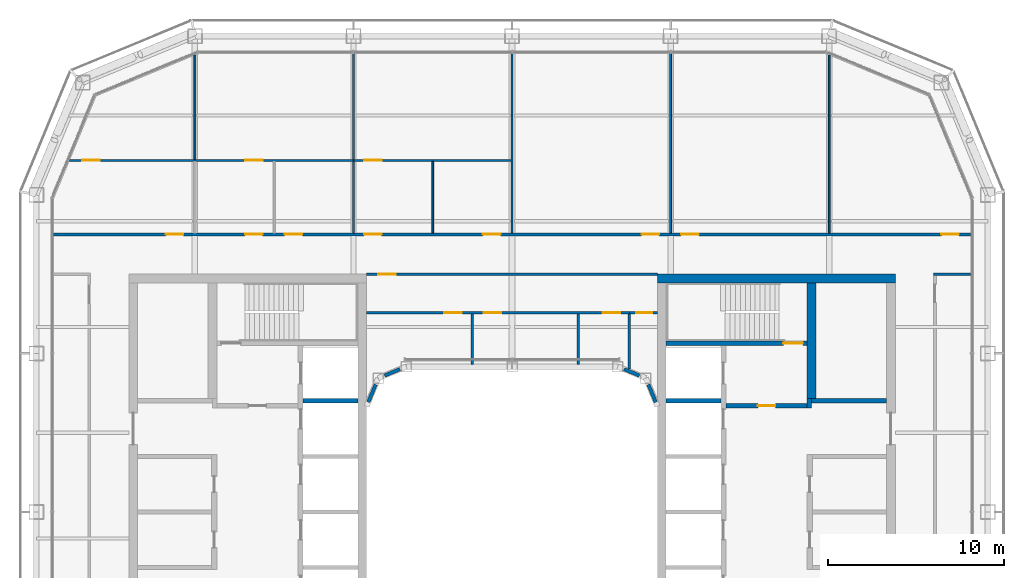
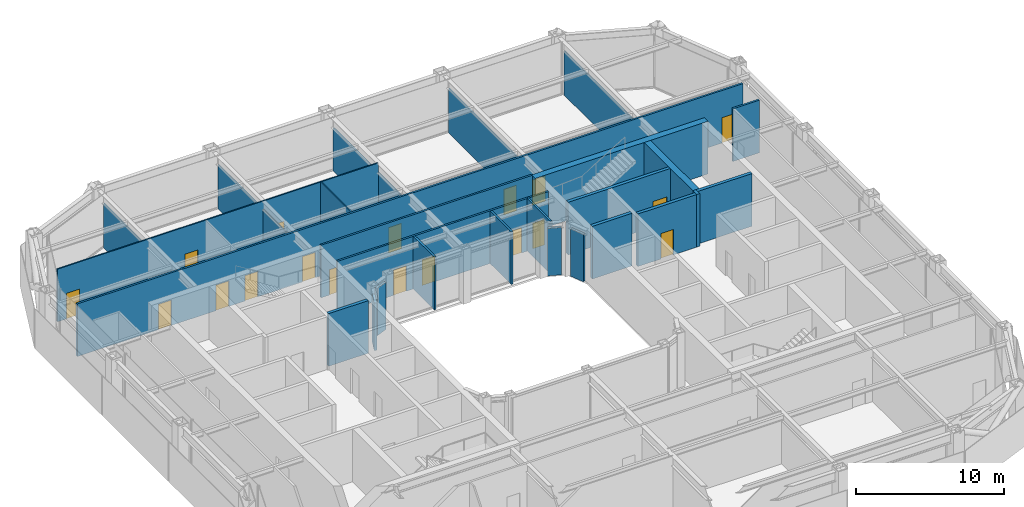
# One storey, part 14 of 19: 28 walls, 18 doors, 18 openings.
"""IFC4 building model written with IfcOpenShell, lengths in metres."""

from ifc_helpers import new_model, si_unit, direction, frame, frame_2d, origin, place, context, subcontext, project, spatial, rectangle, extrude, material, layer, layer_set, type_object, element, fill, save


model = new_model("IFC4")

# Units and contexts
model_context = context("Model", 3, precision=1e-05, world=origin(), true_north=direction((0.0, 1.0)))
body_context = subcontext(model_context, "Body", "Model", "MODEL_VIEW")
ifc_project = project(units=[si_unit("LENGTHUNIT", "METRE"), si_unit("AREAUNIT", "SQUARE_METRE"), si_unit("VOLUMEUNIT", "CUBIC_METRE"), si_unit("PLANEANGLEUNIT", "RADIAN"), si_unit("MASSUNIT", "GRAM", prefix="KILO")], contexts=[model_context])

# Site, building, storey
site_placement = place(None, origin())
site = spatial("IfcSite", under=ifc_project, at=site_placement, CompositionType="ELEMENT")
building_placement = place(site_placement, origin())
building = spatial("IfcBuilding", under=site, at=building_placement, Name="Siwar Civic Tower", CompositionType="ELEMENT")
storey_placement = place(building_placement, frame((0.0, 0.0, 228.699951171875)))
storey = spatial("IfcBuildingStorey", under=building, at=storey_placement, Name="L49", CompositionType="ELEMENT", Elevation=228.699951171875)

# Wall, opening, door
ifc_material_1 = material(Name="Gypsum board on steel studs", Category="steel")
ifc_layer_1 = layer(ifc_material_1, 0.14990234375)
ifc_layer_set_1 = layer_set([ifc_layer_1], Name="Gypsum board on steel studs")
wall_type_1 = type_object("IfcWallType", Name="COMPARTMENT PARTITION 150 EI 60", PredefinedType="PARTITIONING", material=ifc_layer_set_1)
wall_1_placement = place(storey_placement, frame((6.659912109375, 11.300048828125, 0.0), z_axis=(0.0, 0.0, 1.0), x_axis=(1.0, 0.0, 0.0)))
wall_1 = element("IfcWall", 1, at=wall_1_placement, inside=storey, type_object=wall_type_1, Name="L49/wall/P09", PredefinedType="PARTITIONING", context=body_context, shape_type="SweptSolid", body=[
    extrude(rectangle(XDim=1.590087890625, YDim=0.14990234375, at=frame_2d((0.794921875, 0.0))), origin(), (0.0, 0.0, 1.0), 4.35009765625),
])
opening_1_placement = place(wall_1_placement, frame((0.39990234375, 0.0, 0.0)))
opening_1 = element("IfcOpeningElement", 2, at=opening_1_placement, cuts=wall_1, Name="Opening D4", PredefinedType="OPENING", context=body_context, shape_type="SweptSolid", body=[
    extrude(rectangle(XDim=0.89990234375, YDim=2.10009765625, at=frame_2d((0.449951171875, 1.050048828125))), frame((0.0, 0.0849609375, 0.0), z_axis=(0.0, -1.0, 0.0), x_axis=(1.0, 0.0, 0.0)), (0.0, 0.0, 1.0), 0.169921875),
])
ifc_material_2 = material(Name="Timber, painted", Category="wood")
door_type_1 = type_object("IfcDoorType", Name="DOOR 900 X 2100 FD60", OperationType="SINGLE_SWING_LEFT", PredefinedType="DOOR", material=ifc_material_2)
door_1_placement = place(opening_1_placement, origin())
door_1 = element("IfcDoor", 3, at=door_1_placement, inside=storey, type_object=door_type_1, Name="L49-D29", OperationType="SINGLE_SWING_LEFT", OverallHeight=2.10009765625, OverallWidth=0.89990234375, PredefinedType="DOOR", context=body_context, shape_type="SweptSolid", body=[
    extrude(rectangle(XDim=0.89990234375, YDim=2.10009765625, at=frame_2d((0.449951171875, 1.050048828125))), frame((0.0, 0.02490234375, 0.0), z_axis=(0.0, -1.0, 0.0), x_axis=(1.0, 0.0, 0.0)), (0.0, 0.0, 1.0), 0.050048828125),
])
fill(opening_1, door_1)

# Walls
wall_2_placement = place(storey_placement, frame((6.659912109375, 8.126953125, 0.0), z_axis=(0.0, 0.0, 1.0), x_axis=(0.0, 1.0, 0.0)))
element("IfcWall", 4, at=wall_2_placement, inside=storey, type_object=wall_type_1, Name="L49/wall/P30", PredefinedType="PARTITIONING", context=body_context, shape_type="SweptSolid", body=[
    extrude(rectangle(XDim=3.09814453125, YDim=0.14990234375, at=frame_2d((1.549072265625, 0.0))), origin(), (0.0, 0.0, 1.0), 4.35009765625),
])
ifc_material_3 = material(Name="Concrete C60/75", Category="concrete")
ifc_layer_2 = layer(ifc_material_3, 0.25)
ifc_layer_set_2 = layer_set([ifc_layer_2], Name="Concrete C60/75")
wall_type_2 = type_object("IfcWallType", Name="CORE-WALL-RC250", PredefinedType="SHEAR", material=ifc_layer_set_2)
wall_3_placement = place(storey_placement, frame((-8.75, 6.300048828125, 0.0), z_axis=(0.0, 0.0, 1.0), x_axis=(-1.0, 0.0, 0.0)))
element("IfcWall", 5, at=wall_3_placement, inside=storey, type_object=wall_type_2, Name="Core wall W", PredefinedType="SHEAR", context=body_context, shape_type="SweptSolid", body=[
    extrude(rectangle(XDim=3.10009765625, YDim=0.25, at=frame_2d((1.550048828125, 0.0))), origin(), (0.0, 0.0, 1.0), 4.35009765625),
])

# Wall, opening, door
wall_4_placement = place(storey_placement, frame((12.14990234375, 6.02490234375, 0.0), z_axis=(0.0, 0.0, 1.0), x_axis=(1.0, 0.0, 0.0)))
wall_4 = element("IfcWall", 6, at=wall_4_placement, inside=storey, type_object=wall_type_2, Name="Core wall E", PredefinedType="SHEAR", context=body_context, shape_type="SweptSolid", body=[
    extrude(rectangle(XDim=4.60009765625, YDim=0.25, at=frame_2d((2.300048828125, 0.0))), origin(), (0.0, 0.0, 1.0), 4.35009765625),
])
opening_2_placement = place(wall_4_placement, frame((1.800048828125, 0.0, 0.0)))
opening_2 = element("IfcOpeningElement", 7, at=opening_2_placement, cuts=wall_4, Name="Opening L49-CE01", PredefinedType="OPENING", context=body_context, shape_type="SweptSolid", body=[
    extrude(rectangle(XDim=1.0, YDim=2.10009765625, at=frame_2d((0.5, 1.050048828125))), frame((0.0, 0.135009765625, 0.0), z_axis=(0.0, -1.0, 0.0), x_axis=(1.0, 0.0, 0.0)), (0.0, 0.0, 1.0), 0.27001953125),
])
ifc_material_4 = material(Name="Steel door leaf", Category="steel")
door_type_2 = type_object("IfcDoorType", Name="CORE-DOOR-FD30S", OperationType="SINGLE_SWING_LEFT", PredefinedType="DOOR", material=ifc_material_4)
door_2_placement = place(opening_2_placement, origin())
door_2 = element("IfcDoor", 8, at=door_2_placement, inside=storey, type_object=door_type_2, Name="Firefighting lobby door L49-CE01", OperationType="SINGLE_SWING_RIGHT", OverallHeight=2.10009765625, OverallWidth=1.0, PredefinedType="DOOR", context=body_context, shape_type="SweptSolid", body=[
    extrude(rectangle(XDim=1.0, YDim=2.10009765625, at=frame_2d((0.5, 1.050048828125))), frame((0.0, 0.02490234375, 0.0), z_axis=(0.0, -1.0, 0.0), x_axis=(1.0, 0.0, 0.0)), (0.0, 0.0, 1.0), 0.050048828125),
])
fill(opening_2, door_2)

# Walls
wall_5_placement = place(storey_placement, frame((16.875, 5.89990234375, 0.0), z_axis=(0.0, 0.0, 1.0), x_axis=(0.0, 1.0, 0.0)))
element("IfcWall", 9, at=wall_5_placement, inside=storey, type_object=wall_type_2, Name="Core wall E", PredefinedType="SHEAR", context=body_context, shape_type="SweptSolid", body=[
    extrude(rectangle(XDim=0.525146484375, YDim=0.25, at=frame_2d((0.2626953125, 0.0))), origin(), (0.0, 0.0, 1.0), 4.35009765625),
])
wall_6_placement = place(storey_placement, frame((17.0, 6.300048828125, 0.0), z_axis=(0.0, 0.0, 1.0), x_axis=(1.0, 0.0, 0.0)))
element("IfcWall", 10, at=wall_6_placement, inside=storey, type_object=wall_type_2, Name="Core wall E", PredefinedType="SHEAR", context=body_context, shape_type="SweptSolid", body=[
    extrude(rectangle(XDim=4.25, YDim=0.25, at=frame_2d((2.125, 0.0))), origin(), (0.0, 0.0, 1.0), 4.35009765625),
])
wall_7_placement = place(storey_placement, frame((8.75, 6.300048828125, 0.0), z_axis=(0.0, 0.0, 1.0), x_axis=(1.0, 0.0, 0.0)))
element("IfcWall", 11, at=wall_7_placement, inside=storey, type_object=wall_type_2, Name="Core wall E", PredefinedType="SHEAR", context=body_context, shape_type="SweptSolid", body=[
    extrude(rectangle(XDim=3.10009765625, YDim=0.25, at=frame_2d((1.550048828125, 0.0))), origin(), (0.0, 0.0, 1.0), 4.35009765625),
])

# Wall, opening, door
wall_8_placement = place(storey_placement, frame((8.75, 9.574951171875, 0.0), z_axis=(0.0, 0.0, 1.0), x_axis=(1.0, 0.0, 0.0)))
wall_8 = element("IfcWall", 12, at=wall_8_placement, inside=storey, type_object=wall_type_2, Name="Core wall E", PredefinedType="SHEAR", context=body_context, shape_type="SweptSolid", body=[
    extrude(rectangle(XDim=8.0, YDim=0.25, at=frame_2d((4.0, 0.0))), origin(), (0.0, 0.0, 1.0), 4.35009765625),
])
opening_3_placement = place(wall_8_placement, frame((6.64990234375, 0.0, 0.0)))
opening_3 = element("IfcOpeningElement", 13, at=opening_3_placement, cuts=wall_8, Name="Opening L49-CE03", PredefinedType="OPENING", context=body_context, shape_type="SweptSolid", body=[
    extrude(rectangle(XDim=1.10009765625, YDim=2.10009765625, at=frame_2d((0.550048828125, 1.050048828125))), frame((0.0, 0.135009765625, 0.0), z_axis=(0.0, -1.0, 0.0), x_axis=(1.0, 0.0, 0.0)), (0.0, 0.0, 1.0), 0.27001953125),
])
ifc_material_5 = material(Name="Steel door leaf", Category="steel")
door_type_3 = type_object("IfcDoorType", Name="CORE-DOOR-FD60S", OperationType="SINGLE_SWING_LEFT", PredefinedType="DOOR", material=ifc_material_5)
door_3_placement = place(opening_3_placement, origin())
door_3 = element("IfcDoor", 14, at=door_3_placement, inside=storey, type_object=door_type_3, Name="Stair door L49-CE03", OperationType="SINGLE_SWING_LEFT", OverallHeight=2.10009765625, OverallWidth=1.10009765625, PredefinedType="DOOR", context=body_context, shape_type="SweptSolid", body=[
    extrude(rectangle(XDim=1.10009765625, YDim=2.10009765625, at=frame_2d((0.550048828125, 1.050048828125))), frame((0.0, 0.02490234375, 0.0), z_axis=(0.0, -1.0, 0.0), x_axis=(1.0, 0.0, 0.0)), (0.0, 0.0, 1.0), 0.050048828125),
])
fill(opening_3, door_3)

# Walls
ifc_material_6 = material(Name="Concrete C60/75", Category="concrete")
ifc_layer_3 = layer(ifc_material_6, 0.5)
ifc_layer_set_3 = layer_set([ifc_layer_3], Name="Concrete C60/75")
wall_type_3 = type_object("IfcWallType", Name="CORE-WALL-RC500", PredefinedType="SHEAR", material=ifc_layer_set_3)
wall_9_placement = place(storey_placement, frame((17.0, 6.425048828125, 0.0), z_axis=(0.0, 0.0, 1.0), x_axis=(0.0, 1.0, 0.0)))
element("IfcWall", 15, at=wall_9_placement, inside=storey, type_object=wall_type_3, Name="Core wall E", PredefinedType="SHEAR", context=body_context, shape_type="SweptSolid", body=[
    extrude(rectangle(XDim=6.574951171875, YDim=0.5, at=frame_2d((3.28759765625, 0.0))), origin(), (0.0, 0.0, 1.0), 4.35009765625),
])
wall_10_placement = place(storey_placement, frame((8.25, 13.25, 0.0), z_axis=(0.0, 0.0, 1.0), x_axis=(1.0, 0.0, 0.0)))
element("IfcWall", 16, at=wall_10_placement, inside=storey, type_object=wall_type_3, Name="Core wall E", PredefinedType="SHEAR", context=body_context, shape_type="SweptSolid", body=[
    extrude(rectangle(XDim=13.5, YDim=0.5, at=frame_2d((6.75, 0.0))), origin(), (0.0, 0.0, 1.0), 4.35009765625),
])

# Wall, openings, doors
ifc_material_7 = material(Name="Gypsum board on steel studs", Category="steel")
ifc_layer_4 = layer(ifc_material_7, 0.14990234375)
ifc_layer_set_4 = layer_set([ifc_layer_4], Name="Gypsum board on steel studs")
wall_type_4 = type_object("IfcWallType", Name="CORRIDOR PARTITION 150 EI 30", PredefinedType="PARTITIONING", material=ifc_layer_set_4)
wall_11_placement = place(storey_placement, frame((-8.25, 11.300048828125, 0.0), z_axis=(0.0, 0.0, 1.0), x_axis=(1.0, 0.0, 0.0)))
wall_11 = element("IfcWall", 17, at=wall_11_placement, inside=storey, type_object=wall_type_4, Name="L49/wall/P08", PredefinedType="PARTITIONING", context=body_context, shape_type="SweptSolid", body=[
    extrude(rectangle(XDim=14.909912109375, YDim=0.14990234375, at=frame_2d((7.455078125, 0.0))), origin(), (0.0, 0.0, 1.0), 4.35009765625),
])
opening_4_placement = place(wall_11_placement, frame((4.39990234375, 0.0, 0.0)))
opening_4 = element("IfcOpeningElement", 18, at=opening_4_placement, cuts=wall_11, Name="Opening D3", PredefinedType="OPENING", context=body_context, shape_type="SweptSolid", body=[
    extrude(rectangle(XDim=1.0, YDim=2.10009765625, at=frame_2d((0.5, 1.050048828125))), frame((0.0, 0.0849609375, 0.0), z_axis=(0.0, -1.0, 0.0), x_axis=(1.0, 0.0, 0.0)), (0.0, 0.0, 1.0), 0.169921875),
])
opening_5_placement = place(wall_11_placement, frame((6.64990234375, 0.0, 0.0)))
opening_5 = element("IfcOpeningElement", 19, at=opening_5_placement, cuts=wall_11, Name="Opening D3", PredefinedType="OPENING", context=body_context, shape_type="SweptSolid", body=[
    extrude(rectangle(XDim=1.0, YDim=2.10009765625, at=frame_2d((0.5, 1.050048828125))), frame((0.0, 0.0849609375, 0.0), z_axis=(0.0, -1.0, 0.0), x_axis=(1.0, 0.0, 0.0)), (0.0, 0.0, 1.0), 0.169921875),
])
opening_6_placement = place(wall_11_placement, frame((13.39990234375, 0.0, 0.0)))
opening_6 = element("IfcOpeningElement", 20, at=opening_6_placement, cuts=wall_11, Name="Opening D3", PredefinedType="OPENING", context=body_context, shape_type="SweptSolid", body=[
    extrude(rectangle(XDim=1.0, YDim=2.10009765625, at=frame_2d((0.5, 1.050048828125))), frame((0.0, 0.0849609375, 0.0), z_axis=(0.0, -1.0, 0.0), x_axis=(1.0, 0.0, 0.0)), (0.0, 0.0, 1.0), 0.169921875),
])
ifc_material_8 = material(Name="Timber, painted", Category="wood")
door_type_4 = type_object("IfcDoorType", Name="DOOR 1000 X 2100 WC", OperationType="SINGLE_SWING_LEFT", PredefinedType="DOOR", material=ifc_material_8)
door_4_placement = place(opening_4_placement, origin())
door_4 = element("IfcDoor", 21, at=door_4_placement, inside=storey, type_object=door_type_4, Name="L49-D26", OperationType="SINGLE_SWING_RIGHT", OverallHeight=2.10009765625, OverallWidth=1.0, PredefinedType="DOOR", context=body_context, shape_type="SweptSolid", body=[
    extrude(rectangle(XDim=1.0, YDim=2.10009765625, at=frame_2d((0.5, 1.050048828125))), frame((0.0, 0.02490234375, 0.0), z_axis=(0.0, -1.0, 0.0), x_axis=(1.0, 0.0, 0.0)), (0.0, 0.0, 1.0), 0.050048828125),
])
fill(opening_4, door_4)
door_5_placement = place(opening_5_placement, origin())
door_5 = element("IfcDoor", 22, at=door_5_placement, inside=storey, type_object=door_type_4, Name="L49-D27", OperationType="SINGLE_SWING_LEFT", OverallHeight=2.10009765625, OverallWidth=1.0, PredefinedType="DOOR", context=body_context, shape_type="SweptSolid", body=[
    extrude(rectangle(XDim=1.0, YDim=2.10009765625, at=frame_2d((0.5, 1.050048828125))), frame((0.0, 0.02490234375, 0.0), z_axis=(0.0, -1.0, 0.0), x_axis=(1.0, 0.0, 0.0)), (0.0, 0.0, 1.0), 0.050048828125),
])
fill(opening_5, door_5)
door_6_placement = place(opening_6_placement, origin())
door_6 = element("IfcDoor", 23, at=door_6_placement, inside=storey, type_object=door_type_4, Name="L49-D28", OperationType="SINGLE_SWING_RIGHT", OverallHeight=2.10009765625, OverallWidth=1.0, PredefinedType="DOOR", context=body_context, shape_type="SweptSolid", body=[
    extrude(rectangle(XDim=1.0, YDim=2.10009765625, at=frame_2d((0.5, 1.050048828125))), frame((0.0, 0.02490234375, 0.0), z_axis=(0.0, -1.0, 0.0), x_axis=(1.0, 0.0, 0.0)), (0.0, 0.0, 1.0), 0.050048828125),
])
fill(opening_6, door_6)

# Wall, opening, door
wall_12_placement = place(storey_placement, frame((-8.25, 13.5, 0.0), z_axis=(0.0, 0.0, 1.0), x_axis=(1.0, 0.0, 0.0)))
wall_12 = element("IfcWall", 24, at=wall_12_placement, inside=storey, type_object=wall_type_4, Name="L49/wall/P11", PredefinedType="PARTITIONING", context=body_context, shape_type="SweptSolid", body=[
    extrude(rectangle(XDim=16.5, YDim=0.14990234375, at=frame_2d((8.25, 0.0))), origin(), (0.0, 0.0, 1.0), 4.35009765625),
])
opening_7_placement = place(wall_12_placement, frame((0.64990234375, 0.0, 0.0)))
opening_7 = element("IfcOpeningElement", 25, at=opening_7_placement, cuts=wall_12, Name="Opening D1", PredefinedType="OPENING", context=body_context, shape_type="SweptSolid", body=[
    extrude(rectangle(XDim=1.0, YDim=2.10009765625, at=frame_2d((0.5, 1.050048828125))), frame((0.0, 0.0849609375, 0.0), z_axis=(0.0, -1.0, 0.0), x_axis=(1.0, 0.0, 0.0)), (0.0, 0.0, 1.0), 0.169921875),
])
ifc_material_9 = material(Name="Timber, painted", Category="wood")
door_type_5 = type_object("IfcDoorType", Name="DOOR 1000 X 2100 FD30", OperationType="SINGLE_SWING_LEFT", PredefinedType="DOOR", material=ifc_material_9)
door_7_placement = place(opening_7_placement, origin())
door_7 = element("IfcDoor", 26, at=door_7_placement, inside=storey, type_object=door_type_5, Name="L49-D25", OperationType="SINGLE_SWING_LEFT", OverallHeight=2.10009765625, OverallWidth=1.0, PredefinedType="DOOR", context=body_context, shape_type="SweptSolid", body=[
    extrude(rectangle(XDim=1.0, YDim=2.10009765625, at=frame_2d((0.5, 1.050048828125))), frame((0.0, 0.02490234375, 0.0), z_axis=(0.0, -1.0, 0.0), x_axis=(1.0, 0.0, 0.0)), (0.0, 0.0, 1.0), 0.050048828125),
])
fill(opening_7, door_7)

# Wall
wall_13_placement = place(storey_placement, frame((23.925048828125, 13.5, 0.0), z_axis=(0.0, 0.0, 1.0), x_axis=(1.0, 0.0, 0.0)))
element("IfcWall", 27, at=wall_13_placement, inside=storey, type_object=wall_type_4, Name="L49/wall/P12", PredefinedType="PARTITIONING", context=body_context, shape_type="SweptSolid", body=[
    extrude(rectangle(XDim=2.0849609375, YDim=0.14990234375, at=frame_2d((1.04248046875, 0.0))), origin(), (0.0, 0.0, 1.0), 4.35009765625),
])

# Wall, openings, doors
wall_14_placement = place(storey_placement, frame((-26.010009765625, 15.75, 0.0), z_axis=(0.0, 0.0, 1.0), x_axis=(1.0, 0.0, 0.0)))
wall_14 = element("IfcWall", 28, at=wall_14_placement, inside=storey, type_object=wall_type_4, Name="L49/wall/P13", PredefinedType="PARTITIONING", context=body_context, shape_type="SweptSolid", body=[
    extrude(rectangle(XDim=52.02001953125, YDim=0.14990234375, at=frame_2d((26.010009765625, 0.0))), origin(), (0.0, 0.0, 1.0), 4.35009765625),
])
opening_8_placement = place(wall_14_placement, frame((10.860107421875, 0.0, 0.0)))
opening_8 = element("IfcOpeningElement", 29, at=opening_8_placement, cuts=wall_14, Name="Opening D1", PredefinedType="OPENING", context=body_context, shape_type="SweptSolid", body=[
    extrude(rectangle(XDim=1.0, YDim=2.10009765625, at=frame_2d((0.5, 1.050048828125))), frame((0.0, 0.0849609375, 0.0), z_axis=(0.0, -1.0, 0.0), x_axis=(1.0, 0.0, 0.0)), (0.0, 0.0, 1.0), 0.169921875),
])
opening_9_placement = place(wall_14_placement, frame((13.110107421875, 0.0, 0.0)))
opening_9 = element("IfcOpeningElement", 30, at=opening_9_placement, cuts=wall_14, Name="Opening D1", PredefinedType="OPENING", context=body_context, shape_type="SweptSolid", body=[
    extrude(rectangle(XDim=1.0, YDim=2.10009765625, at=frame_2d((0.5, 1.050048828125))), frame((0.0, 0.0849609375, 0.0), z_axis=(0.0, -1.0, 0.0), x_axis=(1.0, 0.0, 0.0)), (0.0, 0.0, 1.0), 0.169921875),
])
opening_10_placement = place(wall_14_placement, frame((17.610107421875, 0.0, 0.0)))
opening_10 = element("IfcOpeningElement", 31, at=opening_10_placement, cuts=wall_14, Name="Opening D1", PredefinedType="OPENING", context=body_context, shape_type="SweptSolid", body=[
    extrude(rectangle(XDim=1.0, YDim=2.10009765625, at=frame_2d((0.5, 1.050048828125))), frame((0.0, 0.0849609375, 0.0), z_axis=(0.0, -1.0, 0.0), x_axis=(1.0, 0.0, 0.0)), (0.0, 0.0, 1.0), 0.169921875),
])
opening_11_placement = place(wall_14_placement, frame((24.360107421875, 0.0, 0.0)))
opening_11 = element("IfcOpeningElement", 32, at=opening_11_placement, cuts=wall_14, Name="Opening D1", PredefinedType="OPENING", context=body_context, shape_type="SweptSolid", body=[
    extrude(rectangle(XDim=1.0, YDim=2.10009765625, at=frame_2d((0.5, 1.050048828125))), frame((0.0, 0.0849609375, 0.0), z_axis=(0.0, -1.0, 0.0), x_axis=(1.0, 0.0, 0.0)), (0.0, 0.0, 1.0), 0.169921875),
])
opening_12_placement = place(wall_14_placement, frame((33.360107421875, 0.0, 0.0)))
opening_12 = element("IfcOpeningElement", 33, at=opening_12_placement, cuts=wall_14, Name="Opening D1", PredefinedType="OPENING", context=body_context, shape_type="SweptSolid", body=[
    extrude(rectangle(XDim=1.0, YDim=2.10009765625, at=frame_2d((0.5, 1.050048828125))), frame((0.0, 0.0849609375, 0.0), z_axis=(0.0, -1.0, 0.0), x_axis=(1.0, 0.0, 0.0)), (0.0, 0.0, 1.0), 0.169921875),
])
opening_13_placement = place(wall_14_placement, frame((35.610107421875, 0.0, 0.0)))
opening_13 = element("IfcOpeningElement", 34, at=opening_13_placement, cuts=wall_14, Name="Opening D1", PredefinedType="OPENING", context=body_context, shape_type="SweptSolid", body=[
    extrude(rectangle(XDim=1.0, YDim=2.10009765625, at=frame_2d((0.5, 1.050048828125))), frame((0.0, 0.0849609375, 0.0), z_axis=(0.0, -1.0, 0.0), x_axis=(1.0, 0.0, 0.0)), (0.0, 0.0, 1.0), 0.169921875),
])
opening_14_placement = place(wall_14_placement, frame((6.360107421875, 0.0, 0.0)))
opening_14 = element("IfcOpeningElement", 35, at=opening_14_placement, cuts=wall_14, Name="Opening D1", PredefinedType="OPENING", context=body_context, shape_type="SweptSolid", body=[
    extrude(rectangle(XDim=1.0, YDim=2.10009765625, at=frame_2d((0.5, 1.050048828125))), frame((0.0, 0.0849609375, 0.0), z_axis=(0.0, -1.0, 0.0), x_axis=(1.0, 0.0, 0.0)), (0.0, 0.0, 1.0), 0.169921875),
])
opening_15_placement = place(wall_14_placement, frame((50.3701171875, 0.0, 0.0)))
opening_15 = element("IfcOpeningElement", 36, at=opening_15_placement, cuts=wall_14, Name="Opening D1", PredefinedType="OPENING", context=body_context, shape_type="SweptSolid", body=[
    extrude(rectangle(XDim=1.0, YDim=2.10009765625, at=frame_2d((0.5, 1.050048828125))), frame((0.0, 0.0849609375, 0.0), z_axis=(0.0, -1.0, 0.0), x_axis=(1.0, 0.0, 0.0)), (0.0, 0.0, 1.0), 0.169921875),
])
door_8_placement = place(opening_8_placement, origin())
door_8 = element("IfcDoor", 37, at=door_8_placement, inside=storey, type_object=door_type_5, Name="L49-D01", OperationType="SINGLE_SWING_LEFT", OverallHeight=2.10009765625, OverallWidth=1.0, PredefinedType="DOOR", context=body_context, shape_type="SweptSolid", body=[
    extrude(rectangle(XDim=1.0, YDim=2.10009765625, at=frame_2d((0.5, 1.050048828125))), frame((0.0, 0.02490234375, 0.0), z_axis=(0.0, -1.0, 0.0), x_axis=(1.0, 0.0, 0.0)), (0.0, 0.0, 1.0), 0.050048828125),
])
fill(opening_8, door_8)
door_9_placement = place(opening_9_placement, origin())
door_9 = element("IfcDoor", 38, at=door_9_placement, inside=storey, type_object=door_type_5, Name="L49-D02", OperationType="SINGLE_SWING_RIGHT", OverallHeight=2.10009765625, OverallWidth=1.0, PredefinedType="DOOR", context=body_context, shape_type="SweptSolid", body=[
    extrude(rectangle(XDim=1.0, YDim=2.10009765625, at=frame_2d((0.5, 1.050048828125))), frame((0.0, 0.02490234375, 0.0), z_axis=(0.0, -1.0, 0.0), x_axis=(1.0, 0.0, 0.0)), (0.0, 0.0, 1.0), 0.050048828125),
])
fill(opening_9, door_9)
door_10_placement = place(opening_10_placement, origin())
door_10 = element("IfcDoor", 39, at=door_10_placement, inside=storey, type_object=door_type_5, Name="L49-D04", OperationType="SINGLE_SWING_RIGHT", OverallHeight=2.10009765625, OverallWidth=1.0, PredefinedType="DOOR", context=body_context, shape_type="SweptSolid", body=[
    extrude(rectangle(XDim=1.0, YDim=2.10009765625, at=frame_2d((0.5, 1.050048828125))), frame((0.0, 0.02490234375, 0.0), z_axis=(0.0, -1.0, 0.0), x_axis=(1.0, 0.0, 0.0)), (0.0, 0.0, 1.0), 0.050048828125),
])
fill(opening_10, door_10)
door_11_placement = place(opening_11_placement, origin())
door_11 = element("IfcDoor", 40, at=door_11_placement, inside=storey, type_object=door_type_5, Name="L49-D05", OperationType="SINGLE_SWING_LEFT", OverallHeight=2.10009765625, OverallWidth=1.0, PredefinedType="DOOR", context=body_context, shape_type="SweptSolid", body=[
    extrude(rectangle(XDim=1.0, YDim=2.10009765625, at=frame_2d((0.5, 1.050048828125))), frame((0.0, 0.02490234375, 0.0), z_axis=(0.0, -1.0, 0.0), x_axis=(1.0, 0.0, 0.0)), (0.0, 0.0, 1.0), 0.050048828125),
])
fill(opening_11, door_11)
door_12_placement = place(opening_12_placement, origin())
door_12 = element("IfcDoor", 41, at=door_12_placement, inside=storey, type_object=door_type_5, Name="L49-D07", OperationType="SINGLE_SWING_LEFT", OverallHeight=2.10009765625, OverallWidth=1.0, PredefinedType="DOOR", context=body_context, shape_type="SweptSolid", body=[
    extrude(rectangle(XDim=1.0, YDim=2.10009765625, at=frame_2d((0.5, 1.050048828125))), frame((0.0, 0.02490234375, 0.0), z_axis=(0.0, -1.0, 0.0), x_axis=(1.0, 0.0, 0.0)), (0.0, 0.0, 1.0), 0.050048828125),
])
fill(opening_12, door_12)
door_13_placement = place(opening_13_placement, origin())
door_13 = element("IfcDoor", 42, at=door_13_placement, inside=storey, type_object=door_type_5, Name="L49-D08", OperationType="SINGLE_SWING_RIGHT", OverallHeight=2.10009765625, OverallWidth=1.0, PredefinedType="DOOR", context=body_context, shape_type="SweptSolid", body=[
    extrude(rectangle(XDim=1.0, YDim=2.10009765625, at=frame_2d((0.5, 1.050048828125))), frame((0.0, 0.02490234375, 0.0), z_axis=(0.0, -1.0, 0.0), x_axis=(1.0, 0.0, 0.0)), (0.0, 0.0, 1.0), 0.050048828125),
])
fill(opening_13, door_13)
door_14_placement = place(opening_14_placement, origin())
door_14 = element("IfcDoor", 43, at=door_14_placement, inside=storey, type_object=door_type_5, Name="L49-D17", OperationType="SINGLE_SWING_LEFT", OverallHeight=2.10009765625, OverallWidth=1.0, PredefinedType="DOOR", context=body_context, shape_type="SweptSolid", body=[
    extrude(rectangle(XDim=1.0, YDim=2.10009765625, at=frame_2d((0.5, 1.050048828125))), frame((0.0, 0.02490234375, 0.0), z_axis=(0.0, -1.0, 0.0), x_axis=(1.0, 0.0, 0.0)), (0.0, 0.0, 1.0), 0.050048828125),
])
fill(opening_14, door_14)
door_15_placement = place(opening_15_placement, origin())
door_15 = element("IfcDoor", 44, at=door_15_placement, inside=storey, type_object=door_type_5, Name="L49-D19", OperationType="SINGLE_SWING_LEFT", OverallHeight=2.10009765625, OverallWidth=1.0, PredefinedType="DOOR", context=body_context, shape_type="SweptSolid", body=[
    extrude(rectangle(XDim=1.0, YDim=2.10009765625, at=frame_2d((0.5, 1.050048828125))), frame((0.0, 0.02490234375, 0.0), z_axis=(0.0, -1.0, 0.0), x_axis=(1.0, 0.0, 0.0)), (0.0, 0.0, 1.0), 0.050048828125),
])
fill(opening_15, door_15)

# Walls
for number, where, z_axis, x_axis, name in (
    (45, (-2.25, 8.3701171875, 0.0), (0.0, 0.0, 1.0), (0.0, 1.0, 0.0), "L49/wall/P26"),
    (46, (3.75, 8.3701171875, 0.0), (0.0, 0.0, 1.0), (0.0, 1.0, 0.0), "L49/wall/P29"),
):
    element("IfcWall", number, at=place(storey_placement, frame(where, z_axis=z_axis, x_axis=x_axis)), inside=storey, type_object=wall_type_4, Name=name, PredefinedType="PARTITIONING", context=body_context, shape_type="SweptSolid", body=[
        extrude(rectangle(XDim=2.85498046875, YDim=0.14990234375, at=frame_2d((1.427490234375, 0.0))), origin(), (0.0, 0.0, 1.0), 4.35009765625),
    ])
ifc_material_10 = material(Name="Aluminium clad insulated panel", Category="aluminium")
ifc_layer_5 = layer(ifc_material_10, 0.199951171875)
ifc_layer_set_5 = layer_set([ifc_layer_5], Name="Aluminium clad insulated panel")
wall_type_5 = type_object("IfcWallType", Name="ENV-WALL-WELL", PredefinedType="STANDARD", material=ifc_layer_set_5)
wall_15_placement = place(storey_placement, frame((8.154296875, 6.23095703125, 0.0), z_axis=(0.0, 0.0, 1.0), x_axis=(-0.382704496366, 0.923870807235, 0.0)))
element("IfcWall", 47, at=wall_15_placement, inside=storey, type_object=wall_type_5, Name="Light well corner wall NE1", PredefinedType="STANDARD", context=body_context, shape_type="SweptSolid", body=[
    extrude(rectangle(XDim=1.080078125, YDim=0.199951171875, at=frame_2d((0.5400390625, 0.0))), origin(), (0.0, 0.0, 1.0), 3.91796875),
])
for number, where, z_axis, x_axis, name in (
    (48, (7.228759765625, 7.740966796875, 0.0), (0.0, 0.0, 1.0), (-0.923829670615, 0.382803787458, 0.0), "Light well corner wall NE2"),
    (49, (-6.362060546875, 8.10009765625, 0.0), (0.0, 0.0, 1.0), (-0.923829670615, -0.382803787458, 0.0), "Light well corner wall NW1"),
):
    element("IfcWall", number, at=place(storey_placement, frame(where, z_axis=z_axis, x_axis=x_axis)), inside=storey, type_object=wall_type_5, Name=name, PredefinedType="STANDARD", context=body_context, shape_type="SweptSolid", body=[
        extrude(rectangle(XDim=0.938232421875, YDim=0.199951171875, at=frame_2d((0.46923828125, 0.0))), origin(), (0.0, 0.0, 1.0), 3.91796875),
    ])
wall_16_placement = place(storey_placement, frame((-7.740966796875, 7.228759765625, 0.0), z_axis=(0.0, 0.0, 1.0), x_axis=(-0.382704496366, -0.923870807235, 0.0)))
element("IfcWall", 50, at=wall_16_placement, inside=storey, type_object=wall_type_5, Name="Light well corner wall NW2", PredefinedType="STANDARD", context=body_context, shape_type="SweptSolid", body=[
    extrude(rectangle(XDim=1.080078125, YDim=0.199951171875, at=frame_2d((0.5400390625, 0.0))), origin(), (0.0, 0.0, 1.0), 3.91796875),
])

# Wall, openings, doors
ifc_material_11 = material(Name="Gypsum board on steel studs", Category="steel")
ifc_layer_6 = layer(ifc_material_11, 0.10009765625)
ifc_layer_set_6 = layer_set([ifc_layer_6], Name="Gypsum board on steel studs")
wall_type_6 = type_object("IfcWallType", Name="PARTITION 100 GYPSUM", PredefinedType="PARTITIONING", material=ifc_layer_set_6)
wall_17_placement = place(storey_placement, frame((-25.12109375, 19.949951171875, 0.0), z_axis=(0.0, 0.0, 1.0), x_axis=(1.0, 0.0, 0.0)))
wall_17 = element("IfcWall", 51, at=wall_17_placement, inside=storey, type_object=wall_type_6, Name="L49/wall/P14", PredefinedType="PARTITIONING", context=body_context, shape_type="SweptSolid", body=[
    extrude(rectangle(XDim=25.071044921875, YDim=0.10009765625, at=frame_2d((12.53564453125, 0.0))), origin(), (0.0, 0.0, 1.0), 4.35009765625),
])
opening_16_placement = place(wall_17_placement, frame((9.970947265625, 0.0, 0.0)))
opening_16 = element("IfcOpeningElement", 52, at=opening_16_placement, cuts=wall_17, Name="Opening D2", PredefinedType="OPENING", context=body_context, shape_type="SweptSolid", body=[
    extrude(rectangle(XDim=1.0, YDim=2.10009765625, at=frame_2d((0.5, 1.050048828125))), frame((0.0, 0.06005859375, 0.0), z_axis=(0.0, -1.0, 0.0), x_axis=(1.0, 0.0, 0.0)), (0.0, 0.0, 1.0), 0.1201171875),
])
opening_17_placement = place(wall_17_placement, frame((16.720947265625, 0.0, 0.0)))
opening_17 = element("IfcOpeningElement", 53, at=opening_17_placement, cuts=wall_17, Name="Opening D2", PredefinedType="OPENING", context=body_context, shape_type="SweptSolid", body=[
    extrude(rectangle(XDim=1.0, YDim=2.10009765625, at=frame_2d((0.5, 1.050048828125))), frame((0.0, 0.06005859375, 0.0), z_axis=(0.0, -1.0, 0.0), x_axis=(1.0, 0.0, 0.0)), (0.0, 0.0, 1.0), 0.1201171875),
])
opening_18_placement = place(wall_17_placement, frame((0.720947265625, 0.0, 0.0)))
opening_18 = element("IfcOpeningElement", 54, at=opening_18_placement, cuts=wall_17, Name="Opening D2", PredefinedType="OPENING", context=body_context, shape_type="SweptSolid", body=[
    extrude(rectangle(XDim=1.0, YDim=2.10009765625, at=frame_2d((0.5, 1.050048828125))), frame((0.0, 0.06005859375, 0.0), z_axis=(0.0, -1.0, 0.0), x_axis=(1.0, 0.0, 0.0)), (0.0, 0.0, 1.0), 0.1201171875),
])
ifc_material_12 = material(Name="Timber, painted", Category="wood")
door_type_6 = type_object("IfcDoorType", Name="DOOR 1000 X 2100", OperationType="SINGLE_SWING_LEFT", PredefinedType="DOOR", material=ifc_material_12)
door_16_placement = place(opening_16_placement, origin())
door_16 = element("IfcDoor", 55, at=door_16_placement, inside=storey, type_object=door_type_6, Name="L49-D03", OperationType="SINGLE_SWING_LEFT", OverallHeight=2.10009765625, OverallWidth=1.0, PredefinedType="DOOR", context=body_context, shape_type="SweptSolid", body=[
    extrude(rectangle(XDim=1.0, YDim=2.10009765625, at=frame_2d((0.5, 1.050048828125))), frame((0.0, 0.02490234375, 0.0), z_axis=(0.0, -1.0, 0.0), x_axis=(1.0, 0.0, 0.0)), (0.0, 0.0, 1.0), 0.050048828125),
])
fill(opening_16, door_16)
door_17_placement = place(opening_17_placement, origin())
door_17 = element("IfcDoor", 56, at=door_17_placement, inside=storey, type_object=door_type_6, Name="L49-D06", OperationType="SINGLE_SWING_RIGHT", OverallHeight=2.10009765625, OverallWidth=1.0, PredefinedType="DOOR", context=body_context, shape_type="SweptSolid", body=[
    extrude(rectangle(XDim=1.0, YDim=2.10009765625, at=frame_2d((0.5, 1.050048828125))), frame((0.0, 0.02490234375, 0.0), z_axis=(0.0, -1.0, 0.0), x_axis=(1.0, 0.0, 0.0)), (0.0, 0.0, 1.0), 0.050048828125),
])
fill(opening_17, door_17)
door_18_placement = place(opening_18_placement, origin())
door_18 = element("IfcDoor", 57, at=door_18_placement, inside=storey, type_object=door_type_6, Name="L49-D18", OperationType="SINGLE_SWING_RIGHT", OverallHeight=2.10009765625, OverallWidth=1.0, PredefinedType="DOOR", context=body_context, shape_type="SweptSolid", body=[
    extrude(rectangle(XDim=1.0, YDim=2.10009765625, at=frame_2d((0.5, 1.050048828125))), frame((0.0, 0.02490234375, 0.0), z_axis=(0.0, -1.0, 0.0), x_axis=(1.0, 0.0, 0.0)), (0.0, 0.0, 1.0), 0.050048828125),
])
fill(opening_18, door_18)

# Walls
wall_18_placement = place(storey_placement, frame((-18.0, 20.0, 0.0), z_axis=(0.0, 0.0, 1.0), x_axis=(0.0, 1.0, 0.0)))
element("IfcWall", 58, at=wall_18_placement, inside=storey, type_object=wall_type_6, Name="L49/wall/P18", PredefinedType="PARTITIONING", context=body_context, shape_type="SweptSolid", body=[
    extrude(rectangle(XDim=5.927978515625, YDim=0.10009765625, at=frame_2d((2.9638671875, 0.0))), origin(), (0.0, 0.0, 1.0), 3.650146484375),
])
wall_19_placement = place(storey_placement, frame((-9.0, 15.824951171875, 0.0), z_axis=(0.0, 0.0, 1.0), x_axis=(0.0, 1.0, 0.0)))
element("IfcWall", 59, at=wall_19_placement, inside=storey, type_object=wall_type_6, Name="L49/wall/P23", PredefinedType="PARTITIONING", context=body_context, shape_type="SweptSolid", body=[
    extrude(rectangle(XDim=4.074951171875, YDim=0.10009765625, at=frame_2d((2.03759765625, 0.0))), origin(), (0.0, 0.0, 1.0), 3.650146484375),
])
wall_20_placement = place(storey_placement, frame((-9.0, 20.0, 0.0), z_axis=(0.0, 0.0, 1.0), x_axis=(0.0, 1.0, 0.0)))
element("IfcWall", 60, at=wall_20_placement, inside=storey, type_object=wall_type_6, Name="L49/wall/P24", PredefinedType="PARTITIONING", context=body_context, shape_type="SweptSolid", body=[
    extrude(rectangle(XDim=6.010009765625, YDim=0.10009765625, at=frame_2d((3.0048828125, 0.0))), origin(), (0.0, 0.0, 1.0), 3.650146484375),
])
wall_21_placement = place(storey_placement, frame((-4.5, 15.824951171875, 0.0), z_axis=(0.0, 0.0, 1.0), x_axis=(0.0, 1.0, 0.0)))
element("IfcWall", 61, at=wall_21_placement, inside=storey, type_object=wall_type_6, Name="L49/wall/P25", PredefinedType="PARTITIONING", context=body_context, shape_type="SweptSolid", body=[
    extrude(rectangle(XDim=4.074951171875, YDim=0.10009765625, at=frame_2d((2.03759765625, 0.0))), origin(), (0.0, 0.0, 1.0), 4.35009765625),
])
wall_22_placement = place(storey_placement, frame((0.0, 15.824951171875, 0.0), z_axis=(0.0, 0.0, 1.0), x_axis=(0.0, 1.0, 0.0)))
element("IfcWall", 62, at=wall_22_placement, inside=storey, type_object=wall_type_6, Name="L49/wall/P28", PredefinedType="PARTITIONING", context=body_context, shape_type="SweptSolid", body=[
    extrude(rectangle(XDim=10.18505859375, YDim=0.10009765625, at=frame_2d((5.092529296875, 0.0))), origin(), (0.0, 0.0, 1.0), 3.550048828125),
])
wall_23_placement = place(storey_placement, frame((9.0, 15.824951171875, 0.0), z_axis=(0.0, 0.0, 1.0), x_axis=(0.0, 1.0, 0.0)))
element("IfcWall", 63, at=wall_23_placement, inside=storey, type_object=wall_type_6, Name="L49/wall/P32", PredefinedType="PARTITIONING", context=body_context, shape_type="SweptSolid", body=[
    extrude(rectangle(XDim=10.18505859375, YDim=0.10009765625, at=frame_2d((5.092529296875, 0.0))), origin(), (0.0, 0.0, 1.0), 3.650146484375),
])
wall_24_placement = place(storey_placement, frame((18.0, 15.824951171875, 0.0), z_axis=(0.0, 0.0, 1.0), x_axis=(0.0, 1.0, 0.0)))
element("IfcWall", 64, at=wall_24_placement, inside=storey, type_object=wall_type_6, Name="L49/wall/P34", PredefinedType="PARTITIONING", context=body_context, shape_type="SweptSolid", body=[
    extrude(rectangle(XDim=10.10302734375, YDim=0.10009765625, at=frame_2d((5.051513671875, 0.0))), origin(), (0.0, 0.0, 1.0), 3.650146484375),
])

save(model, "model.ifc")
